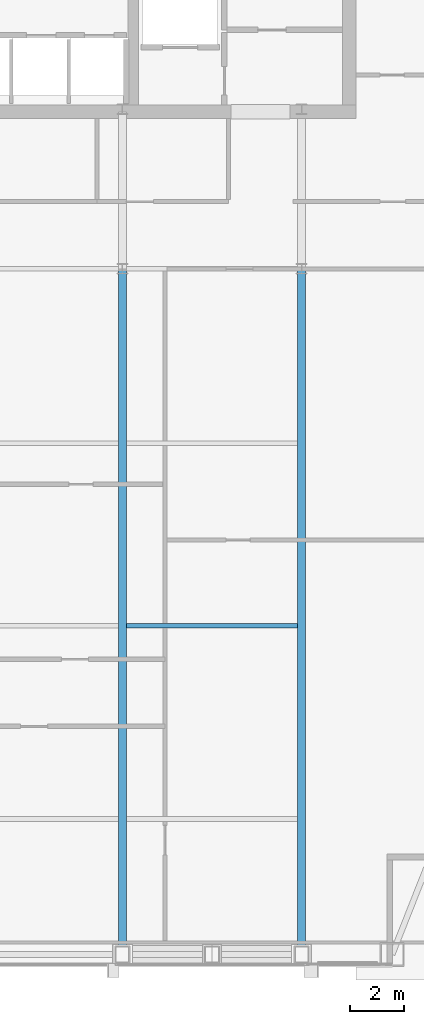
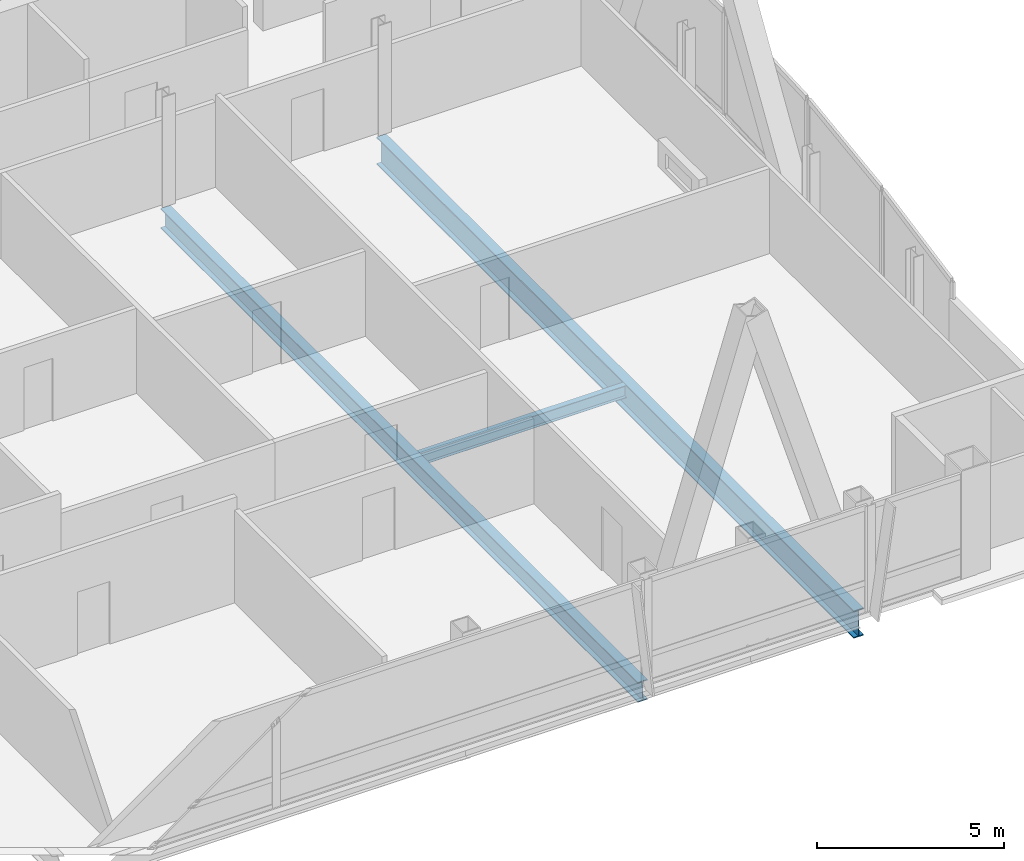
# One storey, part 13 of 28: 3 beams.
"""IFC4 building model written with IfcOpenShell, lengths in metres."""

from ifc_helpers import new_model, si_unit, direction, frame, origin, origin_2d, place, context, subcontext, project, spatial, i_section, extrude, material, material_profile, profile_set, type_object, element, save


model = new_model("IFC4")

# Units and contexts
model_context = context("Model", 3, precision=1e-05, world=origin(), true_north=direction((0.0, 1.0)))
body_context = subcontext(model_context, "Body", "Model", "MODEL_VIEW")
ifc_project = project(units=[si_unit("LENGTHUNIT", "METRE"), si_unit("AREAUNIT", "SQUARE_METRE"), si_unit("VOLUMEUNIT", "CUBIC_METRE"), si_unit("PLANEANGLEUNIT", "RADIAN"), si_unit("MASSUNIT", "GRAM", prefix="KILO")], contexts=[model_context])

# Site, building, storey
site_placement = place(None, origin())
site = spatial("IfcSite", under=ifc_project, at=site_placement, CompositionType="ELEMENT")
building_placement = place(site_placement, origin())
building = spatial("IfcBuilding", under=site, at=building_placement, Name="Khoronbel Lancet Exchange", CompositionType="ELEMENT")
storey_placement = place(building_placement, frame((0.0, 0.0, 291.39990234375)))
storey = spatial("IfcBuildingStorey", under=building, at=storey_placement, Name="L75", CompositionType="ELEMENT", Elevation=291.39990234375)

# Beams
ifc_material = material(Name="Steel S355", Category="steel")
ifc_material_profile_1 = material_profile(ifc_material, i_section(OverallWidth=0.300048828125, OverallDepth=0.89990234375, WebThickness=0.0185546875, FlangeThickness=0.034912109375, at=origin_2d()), Name="HEB 900")
ifc_profile_set_1 = profile_set([ifc_material_profile_1], Name="Steel S355")
beam_type_1 = type_object("IfcBeamType", Name="BM-BG1", PredefinedType="BEAM", material=ifc_profile_set_1)
beam_1_placement = place(storey_placement, frame((54.675048828125, 10.14990234375, -0.60986328125), z_axis=(0.0, 1.0, 0.0), x_axis=(-1.0, 0.0, 0.0)))
element("IfcBeam", 1, at=beam_1_placement, inside=storey, type_object=beam_type_1, Name="Level L75 south primary girder GS6", PredefinedType="BEAM", context=body_context, shape_type="SweptSolid", body=[
    extrude(i_section(OverallWidth=0.300048828125, OverallDepth=0.89990234375, WebThickness=0.0185546875, FlangeThickness=0.034912109375, at=origin_2d()), origin(), (0.0, 0.0, 1.0), 25.550048828125),
])
ifc_material_profile_2 = material_profile(ifc_material, i_section(OverallWidth=0.300048828125, OverallDepth=0.64990234375, WebThickness=0.01611328125, FlangeThickness=0.031005859375, at=origin_2d()), Name="HEB 650")
ifc_profile_set_2 = profile_set([ifc_material_profile_2], Name="Steel S355")
beam_type_2 = type_object("IfcBeamType", Name="BM-BG4", PredefinedType="BEAM", material=ifc_profile_set_2)
beam_2_placement = place(storey_placement, frame((48.0, 10.14990234375, -0.48486328125), z_axis=(0.0, 1.0, 0.0), x_axis=(-1.0, 0.0, 0.0)))
element("IfcBeam", 2, at=beam_2_placement, inside=storey, type_object=beam_type_2, Name="Level L75 south primary girder GS5", PredefinedType="BEAM", context=body_context, shape_type="SweptSolid", body=[
    extrude(i_section(OverallWidth=0.300048828125, OverallDepth=0.64990234375, WebThickness=0.01611328125, FlangeThickness=0.031005859375, at=origin_2d()), origin(), (0.0, 0.0, 1.0), 25.550048828125),
])
ifc_material_profile_3 = material_profile(ifc_material, i_section(OverallWidth=0.179931640625, OverallDepth=0.39990234375, WebThickness=0.008544921875, FlangeThickness=0.013427734375, at=origin_2d()), Name="IPE 400")
ifc_profile_set_3 = profile_set([ifc_material_profile_3], Name="Steel S355")
beam_type_3 = type_object("IfcBeamType", Name="BM-BJ5", PredefinedType="JOIST", material=ifc_profile_set_3)
beam_3_placement = place(storey_placement, frame((48.14990234375, 22.39990234375, -0.35986328125), z_axis=(1.0, 0.0, 0.0), x_axis=(0.0, 1.0, 0.0)))
element("IfcBeam", 3, at=beam_3_placement, inside=storey, type_object=beam_type_3, Name="Level L75 secondary composite joist J10", PredefinedType="JOIST", context=body_context, shape_type="SweptSolid", body=[
    extrude(i_section(OverallWidth=0.179931640625, OverallDepth=0.39990234375, WebThickness=0.008544921875, FlangeThickness=0.013427734375, at=origin_2d()), origin(), (0.0, 0.0, 1.0), 6.375),
])

save(model, "model.ifc")
